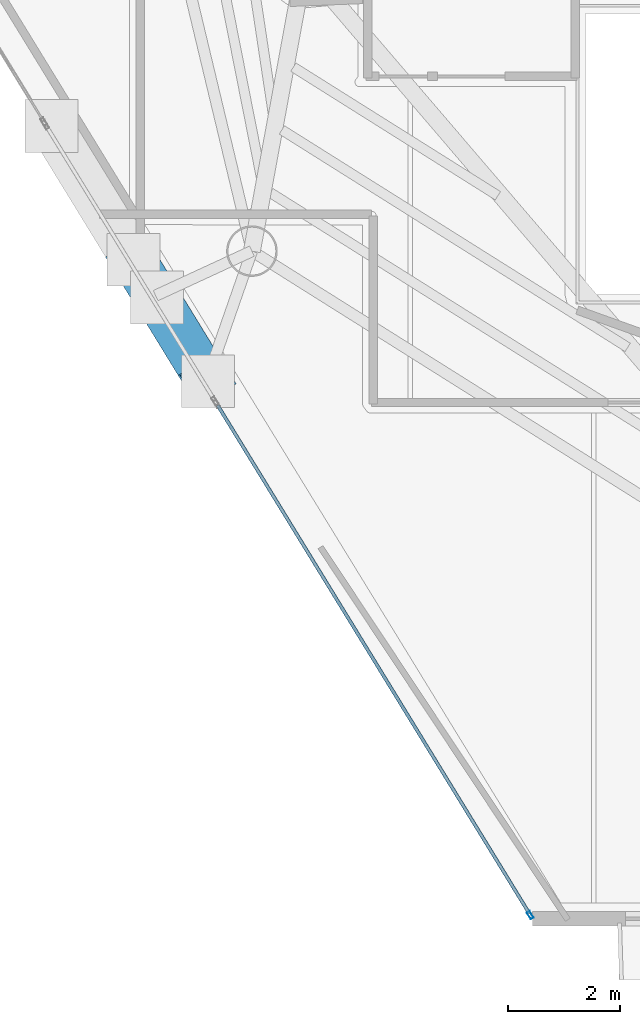
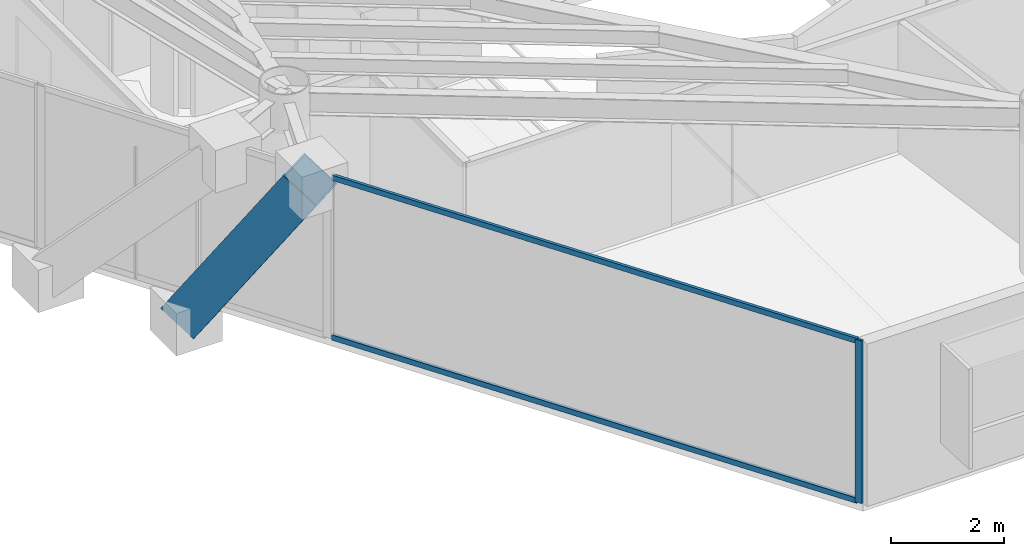
# One storey, part 2 of 23: 4 members, 1 element without a shape of its own.
"""IFC4 building model written with IfcOpenShell, lengths in metres."""

from ifc_helpers import new_model, si_unit, direction, frame, origin, origin_2d, place, context, subcontext, project, spatial, hollow_rectangle, extrude, material, layer, layer_set, material_profile, profile_set, type_object, element, aggregate, save


model = new_model("IFC4")

# Units and contexts
model_context = context("Model", 3, precision=1e-05, world=origin(), true_north=direction((0.0, 1.0)))
body_context = subcontext(model_context, "Body", "Model", "MODEL_VIEW")
ifc_project = project(units=[si_unit("LENGTHUNIT", "METRE"), si_unit("AREAUNIT", "SQUARE_METRE"), si_unit("VOLUMEUNIT", "CUBIC_METRE"), si_unit("PLANEANGLEUNIT", "RADIAN"), si_unit("MASSUNIT", "GRAM", prefix="KILO")], contexts=[model_context])

# Site, building, storey
site_placement = place(None, origin())
site = spatial("IfcSite", under=ifc_project, at=site_placement, CompositionType="ELEMENT")
building_placement = place(site_placement, origin())
building = spatial("IfcBuilding", under=site, at=building_placement, Name="Qianvela Tower", CompositionType="ELEMENT")
storey_placement = place(building_placement, frame((0.0, 0.0, 284.300048828125)))
storey = spatial("IfcBuildingStorey", under=building, at=storey_placement, Name="L73", CompositionType="ELEMENT", Elevation=284.300048828125)

# Curtain wall, members
ifc_material_1 = material(Name="Anodised Architectural Aluminium and Low-E Glass", Category="aluminium")
ifc_layer = layer(ifc_material_1, 0.14990234375)
ifc_layer_set = layer_set([ifc_layer], Name="Anodised Architectural Aluminium and Low-E Glass")
curtain_wall_type = type_object("IfcCurtainWallType", Name="CW-COLIV-Z78", PredefinedType="USERDEFINED", material=ifc_layer_set)
curtain_wall_placement = place(storey_placement, origin())
curtain_wall = element("IfcCurtainWall", 1, at=curtain_wall_placement, inside=storey, type_object=curtain_wall_type, Name="L73 CW-COLIV-Z78 Curtain Wall 04C", ObjectType="CURTAIN_WALL_SYSTEM", PredefinedType="USERDEFINED")
ifc_material_2 = material(Name="Anodised Architectural Aluminium 6063-T6", Category="aluminium")
ifc_material_profile_1 = material_profile(ifc_material_2, hollow_rectangle(XDim=0.06005859375, YDim=0.139892578125, WallThickness=0.00439453125, at=origin_2d()), Name="ALU-MULL-60x140")
ifc_profile_set_1 = profile_set([ifc_material_profile_1], Name="Anodised Architectural Aluminium 6063-T6")
member_type_1 = type_object("IfcMemberType", Name="CW-COLIV-Z78-MULL", PredefinedType="MULLION", material=ifc_profile_set_1)
member_1_placement = place(storey_placement, frame((32.62109375, 6.963134765625, 0.0), z_axis=(0.0, 0.0, 1.0), x_axis=(0.852457694782, 0.522796211355, 0.0)))
member_1 = element("IfcMember", 2, at=member_1_placement, type_object=member_type_1, Name="CW-6 mullion 2", PredefinedType="MULLION", context=body_context, shape_type="SweptSolid", body=[
    extrude(hollow_rectangle(XDim=0.06005859375, YDim=0.139892578125, WallThickness=0.00439453125, at=origin_2d()), origin(), (0.0, 0.0, 1.0), 3.52001953125),
])
ifc_material_3 = material(Name="Anodised Architectural Aluminium 6063-T6", Category="aluminium")
ifc_material_profile_2 = material_profile(ifc_material_3, hollow_rectangle(XDim=0.06005859375, YDim=0.114990234375, WallThickness=0.00390625, at=origin_2d()), Name="ALU-TRAN-60x115")
ifc_profile_set_2 = profile_set([ifc_material_profile_2], Name="Anodised Architectural Aluminium 6063-T6")
member_type_2 = type_object("IfcMemberType", Name="CW-COLIV-Z78-TRAN", PredefinedType="USERDEFINED", material=ifc_profile_set_2)
member_2_placement = place(storey_placement, frame((27.061279296875, 16.02880859375, 0.030029296875), z_axis=(0.522786618803, -0.852463577639, 0.0), x_axis=(0.852463577639, 0.522786618803, 0.0)))
member_2 = element("IfcMember", 3, at=member_2_placement, type_object=member_type_2, Name="CW-6 transom 1.1", ObjectType="TRANSOM", PredefinedType="USERDEFINED", context=body_context, shape_type="SweptSolid", body=[
    extrude(hollow_rectangle(XDim=0.06005859375, YDim=0.114990234375, WallThickness=0.00390625, at=origin_2d()), origin(), (0.0, 0.0, 1.0), 10.6044921875),
])
member_3_placement = place(storey_placement, frame((27.061279296875, 16.02880859375, 3.489990234375), z_axis=(0.522786618803, -0.852463577639, 0.0), x_axis=(0.852463577639, 0.522786618803, 0.0)))
member_3 = element("IfcMember", 4, at=member_3_placement, type_object=member_type_2, Name="CW-6 transom 1.2", ObjectType="TRANSOM", PredefinedType="USERDEFINED", context=body_context, shape_type="SweptSolid", body=[
    extrude(hollow_rectangle(XDim=0.06005859375, YDim=0.114990234375, WallThickness=0.00390625, at=origin_2d()), origin(), (0.0, 0.0, 1.0), 10.6044921875),
])
aggregate(curtain_wall, [member_1, member_2, member_3])

# Member
ifc_material_4 = material(Name="Steel Q420GJC", Category="steel")
ifc_material_profile_3 = material_profile(ifc_material_4, hollow_rectangle(XDim=0.800048828125, YDim=0.800048828125, WallThickness=0.028076171875, at=origin_2d()), Name="MBOX-800x800x28")
ifc_profile_set_3 = profile_set([ifc_material_profile_3], Name="Steel Q420GJC")
member_type_3 = type_object("IfcMemberType", Name="MBR-MBRACE-800", PredefinedType="BRACE", material=ifc_profile_set_3)
member_4_placement = place(storey_placement, frame((25.58251953125, 18.593017578125, -0.48193359375), z_axis=(0.29021972014, -0.473253526242, 0.83174732578), x_axis=(0.852471930268, 0.522772998638, 0.0)))
element("IfcMember", 5, at=member_4_placement, inside=storey, type_object=member_type_3, Name="L73 Tier 12 Exterior Mega-Brace F2B", PredefinedType="BRACE", context=body_context, shape_type="SweptSolid", body=[
    extrude(hollow_rectangle(XDim=0.800048828125, YDim=0.800048828125, WallThickness=0.028076171875, at=origin_2d()), origin(), (0.0, 0.0, 1.0), 4.448486328125),
])

save(model, "model.ifc")
